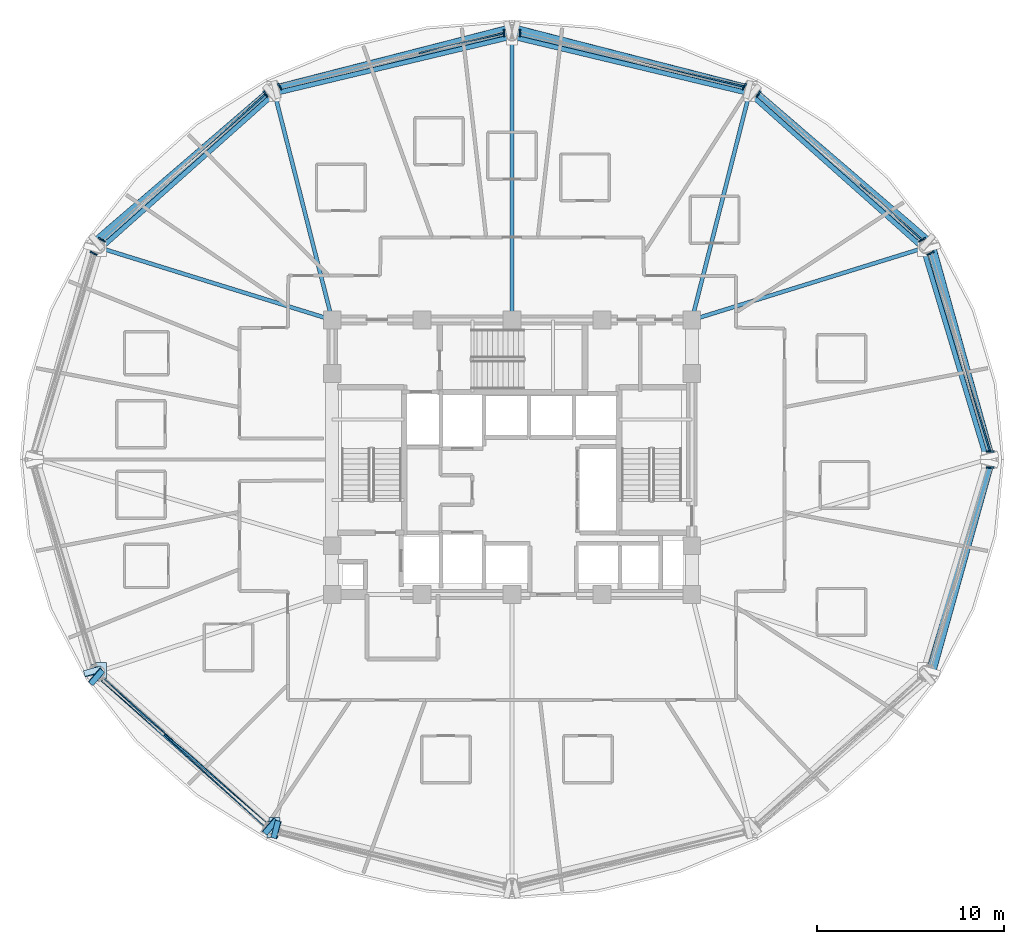
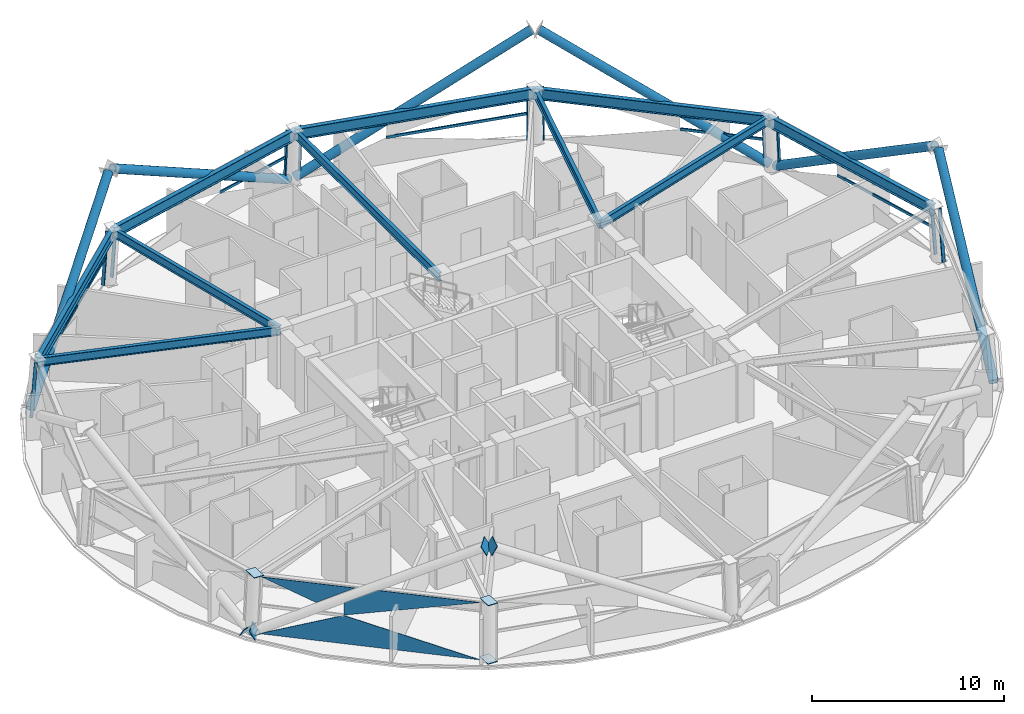
# One storey, part 3 of 14: 23 members, 11 plates, 10 beams, 8 elements without a shape of their own.
"""IFC4 building model written with IfcOpenShell, lengths in metres."""

import ifcopenshell
import ifcopenshell.guid

model = None  # the IFC model being written
_history = None  # IfcOwnerHistory: only IFC2X3 demands one
_inside = {}  # id of a spatial element -> (the spatial element, [elements in it])
_under = {}  # id of a project, library or spatial element -> (it, [spatial elements below it])
_declared = {}  # id of a project -> (the project, [libraries it declares])
_typed = {}  # id of a type object -> (the type object, [elements of that type])
_made_of = {}  # id of a material, layer set ... -> (it, [elements and type objects made of it])


def new_model(schema):
    """Start an empty IFC model of exactly this schema.

    Asked for "IFC4X3", IfcOpenShell would pick the latest addendum, in which some entities
    have other attributes; the version numbers below select the first issue.
    IFC2X3 requires an IfcOwnerHistory on every rooted entity: one is made here for all.
    """
    global model, _history
    if schema == "IFC4X3":
        model = ifcopenshell.file(schema_version=(4, 3, 0, 0))
    else:
        model = ifcopenshell.file(schema=schema)
    _inside.clear()
    _under.clear()
    _declared.clear()
    _typed.clear()
    _made_of.clear()
    _history = None
    if model.schema == "IFC2X3":
        org = make("IfcOrganization", Name="unknown")
        user = make(
            "IfcPersonAndOrganization",
            ThePerson=make("IfcPerson", FamilyName="unknown"),
            TheOrganization=org,
        )
        app = make(
            "IfcApplication",
            ApplicationDeveloper=org,
            Version="unknown",
            ApplicationFullName="unknown",
            ApplicationIdentifier="unknown",
        )
        _history = make(
            "IfcOwnerHistory",
            OwningUser=user,
            OwningApplication=app,
            ChangeAction="ADDED",
            CreationDate=0,
        )
    return model


def make(cls, **values):
    """One entity of the class cls with the attributes given. An attribute that is None is left unset."""
    return model.create_entity(
        cls, **{name: value for name, value in values.items() if value is not None}
    )


def rooted(cls, **values):
    """An entity with a GlobalId (a new one), such as an element, a storey or a relation."""
    return make(cls, GlobalId=ifcopenshell.guid.new(), OwnerHistory=_history, **values)


def si_unit(unit_type, name, prefix=None):
    """IfcSIUnit, for example si_unit("LENGTHUNIT", "METRE", prefix="MILLI")."""
    return make("IfcSIUnit", UnitType=unit_type, Prefix=prefix, Name=name)


def assignment(units):
    """IfcUnitAssignment: the units of a project."""
    return None if units is None else make("IfcUnitAssignment", Units=units)


def point(xyz):
    """IfcCartesianPoint."""
    return None if xyz is None else make("IfcCartesianPoint", Coordinates=xyz)


def direction(xyz):
    """IfcDirection."""
    return None if xyz is None else make("IfcDirection", DirectionRatios=xyz)


def frame(location, z_axis=None, x_axis=None):
    """IfcAxis2Placement3D, a coordinate frame: its origin and axes. An axis left out is left unset."""
    return make(
        "IfcAxis2Placement3D",
        Location=point(location),
        Axis=direction(z_axis),
        RefDirection=direction(x_axis),
    )


def frame_2d(location, x_axis=None):
    """IfcAxis2Placement2D, a coordinate frame in the plane: its origin and x axis."""
    return make(
        "IfcAxis2Placement2D", Location=point(location), RefDirection=direction(x_axis)
    )


def origin():
    """The frame at (0, 0, 0) with its axes left unset."""
    return frame((0.0, 0.0, 0.0))


def origin_2d():
    """The frame at (0, 0) in the plane with its x axis left unset."""
    return frame_2d((0.0, 0.0))


def place(relative_to, where):
    """IfcLocalPlacement: puts the frame where relative to a parent placement (None: the world)."""
    return make(
        "IfcLocalPlacement", PlacementRelTo=relative_to, RelativePlacement=where
    )


def context(
    kind, dimensions, precision=None, world=None, true_north=None, identifier=None
):
    """IfcGeometricRepresentationContext, for example the 3D "Model" context."""
    return make(
        "IfcGeometricRepresentationContext",
        ContextIdentifier=identifier,
        ContextType=kind,
        CoordinateSpaceDimension=dimensions,
        Precision=precision,
        WorldCoordinateSystem=world,
        TrueNorth=true_north,
    )


def subcontext(parent, identifier, kind, view, scale=None):
    """IfcGeometricRepresentationSubContext, for example "Body" below "Model"."""
    return make(
        "IfcGeometricRepresentationSubContext",
        ContextIdentifier=identifier,
        ContextType=kind,
        ParentContext=parent,
        TargetScale=scale,
        TargetView=view,
    )


def project(units=None, contexts=None):
    """IfcProject with its units and contexts."""
    return rooted(
        "IfcProject",
        Name="project",
        RepresentationContexts=contexts,
        UnitsInContext=assignment(units),
    )


def spatial(cls, under=None, at=None, **own):
    """A site, building, storey or space (cls), placed at a placement, below another one or the project."""
    s = rooted(cls, ObjectPlacement=at, **own)
    if under is not None:
        _under.setdefault(under.id(), (under, []))[1].append(s)
    return s


def polyline(points):
    """IfcPolyline through the points."""
    return make("IfcPolyline", Points=[point(p) for p in points])


def profile(cls, at=None, kind="AREA", **sizes):
    """A parametric profile (cls). Its sizes go by their IFC names, for example OverallWidth=200.0."""
    return make(cls, ProfileType=kind, Position=at, **sizes)


def hollow_rectangle(**sizes):
    """IfcRectangleHollowProfileDef."""
    return profile("IfcRectangleHollowProfileDef", **sizes)


def hollow_circle(**sizes):
    """IfcCircleHollowProfileDef."""
    return profile("IfcCircleHollowProfileDef", **sizes)


def i_section(**sizes):
    """IfcIShapeProfileDef."""
    return profile("IfcIShapeProfileDef", **sizes)


def outline(outer, holes=None, kind="AREA"):
    """IfcArbitraryClosedProfileDef: a profile drawn as a closed curve; with holes, ...WithVoids."""
    if holes is None:
        return make("IfcArbitraryClosedProfileDef", ProfileType=kind, OuterCurve=outer)
    return make(
        "IfcArbitraryProfileDefWithVoids",
        ProfileType=kind,
        OuterCurve=outer,
        InnerCurves=holes,
    )


def extrude(swept, where, along, depth):
    """IfcExtrudedAreaSolid: the profile swept, set in the frame where, extruded along a direction by depth."""
    return make(
        "IfcExtrudedAreaSolid",
        SweptArea=swept,
        Position=where,
        ExtrudedDirection=direction(along),
        Depth=depth,
    )


def shape(context_of_items, identifier, shape_type, items):
    """IfcShapeRepresentation: the items that make up one representation, for example the "Body"."""
    return make(
        "IfcShapeRepresentation",
        ContextOfItems=context_of_items,
        RepresentationIdentifier=identifier,
        RepresentationType=shape_type,
        Items=items,
    )


def material(Name=None, Category=None):
    """IfcMaterial."""
    return make("IfcMaterial", Name=Name, Category=Category)


def layer(
    of_material, thickness, ventilated=None, Name=None, Category=None, Priority=None
):
    """IfcMaterialLayer: one layer of a wall or slab, of a material (None: an air gap)."""
    return make(
        "IfcMaterialLayer",
        Material=of_material,
        LayerThickness=thickness,
        IsVentilated=ventilated,
        Name=Name,
        Category=Category,
        Priority=Priority,
    )


def layer_set(layers, Name=None):
    """IfcMaterialLayerSet."""
    return make("IfcMaterialLayerSet", MaterialLayers=layers, LayerSetName=Name)


def material_profile(
    of_material, cross_section, Name=None, Category=None, Priority=None
):
    """IfcMaterialProfile: a cross section and its material."""
    return make(
        "IfcMaterialProfile",
        Name=Name,
        Material=of_material,
        Profile=cross_section,
        Priority=Priority,
        Category=Category,
    )


def profile_set(profiles, Name=None, composite=None):
    """IfcMaterialProfileSet."""
    return make(
        "IfcMaterialProfileSet",
        Name=Name,
        MaterialProfiles=profiles,
        CompositeProfile=composite,
    )


def made_of(thing, what):
    """Note that an element or type object is made of a material, layer set ...; save() writes the relation."""
    if what is not None:
        _made_of.setdefault(what.id(), (what, []))[1].append(thing)
    return thing


def type_object(cls, material=None, **own):
    """A type object (cls), such as IfcWallType, which elements share."""
    return made_of(rooted(cls, **own), material)


def element(
    cls,
    number,
    at=None,
    inside=None,
    cuts=None,
    type_object=None,
    material=None,
    context=None,
    identifier="Body",
    shape_type=None,
    held_by="IfcProductDefinitionShape",
    body=None,
    shapes=None,
    **own,
):
    """One element of the class cls, such as IfcWall. Its Tag is "e" and its number.

    at: its placement. inside: the storey or other place that contains it. cuts: it is an
    opening in that element (IfcRelVoidsElement). A single representation is given by context,
    identifier, shape_type and body (its items); several are given by shapes. held_by: the class
    of the entity that holds the representations. save() writes the other relations.
    """
    e = rooted(cls, Tag="e%d" % number, ObjectPlacement=at, **own)
    if body is not None:
        shapes = [shape(context, identifier, shape_type, body)]
    if shapes is not None:
        e.Representation = make(held_by, Representations=shapes)
    if inside is not None:
        _inside.setdefault(inside.id(), (inside, []))[1].append(e)
    if cuts is not None:
        rooted(
            "IfcRelVoidsElement", RelatingBuildingElement=cuts, RelatedOpeningElement=e
        )
    if type_object is not None:
        _typed.setdefault(type_object.id(), (type_object, []))[1].append(e)
    return made_of(e, material)


def aggregate(whole, parts):
    """IfcRelAggregates: a whole, such as a stair, and the parts it consists of."""
    return rooted("IfcRelAggregates", RelatingObject=whole, RelatedObjects=parts)


def save(model, path):
    """Write the relations noted so far, then the file.

    IfcRelAggregates (storeys below a building ...), IfcRelContainedInSpatialStructure (elements
    in a storey), IfcRelDefinesByType, IfcRelAssociatesMaterial and IfcRelDeclares: one each for
    every whole, place, type object, material and project.
    """
    for whole, parts in _under.values():
        aggregate(whole, parts)
    for where, things in _inside.values():
        rooted(
            "IfcRelContainedInSpatialStructure",
            RelatedElements=things,
            RelatingStructure=where,
        )
    for kind, things in _typed.values():
        rooted("IfcRelDefinesByType", RelatedObjects=things, RelatingType=kind)
    for what, things in _made_of.values():
        rooted("IfcRelAssociatesMaterial", RelatedObjects=things, RelatingMaterial=what)
    for by, libraries in _declared.values():
        rooted("IfcRelDeclares", RelatingContext=by, RelatedDefinitions=libraries)
    model.write(path)


model = new_model("IFC4")

# Units and contexts
model_context = context("Model", 3, precision=1e-05, world=origin(), true_north=direction((0.0, 1.0)))
body_context = subcontext(model_context, "Body", "Model", "MODEL_VIEW")
ifc_project = project(units=[si_unit("LENGTHUNIT", "METRE"), si_unit("AREAUNIT", "SQUARE_METRE"), si_unit("VOLUMEUNIT", "CUBIC_METRE"), si_unit("PLANEANGLEUNIT", "RADIAN"), si_unit("MASSUNIT", "GRAM", prefix="KILO")], contexts=[model_context])

# Site, building, storey
site_placement = place(None, origin())
site = spatial("IfcSite", under=ifc_project, at=site_placement, CompositionType="ELEMENT")
building_placement = place(site_placement, origin())
building = spatial("IfcBuilding", under=site, at=building_placement, Name="Vantalir Tower", CompositionType="ELEMENT")
storey_placement = place(building_placement, frame((0.0, 0.0, 112.199951171875)))
storey = spatial("IfcBuildingStorey", under=building, at=storey_placement, Name="L27", CompositionType="ELEMENT", Elevation=112.199951171875)

# Beams
ifc_material_1 = material(Name="Steel S355", Category="steel")
ifc_material_profile_1 = material_profile(ifc_material_1, i_section(OverallWidth=0.2109375, OverallDepth=0.5390625, WebThickness=0.01171875, FlangeThickness=0.018798828125, at=origin_2d()), Name="Steel S355")
ifc_profile_set_1 = profile_set([ifc_material_profile_1], Name="Steel S355")
beam_type_1 = type_object("IfcBeamType", Name="BM-RB-533x210", PredefinedType="BEAM", material=ifc_profile_set_1)
beam_1_placement = place(storey_placement, frame((53.445068359375, 36.282958984375, 3.300048828125), z_axis=(-0.955024490014, -0.296526935493, 0.0), x_axis=(0.296526935493, -0.955024490014, 0.0)))
element("IfcBeam", 1, at=beam_1_placement, inside=storey, type_object=beam_type_1, Name="L27 Radial Floor Beam 02", PredefinedType="BEAM", context=body_context, shape_type="SweptSolid", body=[
    extrude(i_section(OverallWidth=0.2109375, OverallDepth=0.5390625, WebThickness=0.01171875, FlangeThickness=0.018798828125, at=origin_2d()), origin(), (0.0, 0.0, 1.0), 12.92626953125),
])
beam_2_placement = place(storey_placement, frame((44.169921875, 44.54296875, 3.300048828125), z_axis=(-0.246047052435, -0.969257885182, 0.0), x_axis=(0.969257885182, -0.246047052435, 0.0)))
element("IfcBeam", 2, at=beam_2_placement, inside=storey, type_object=beam_type_1, Name="L27 Radial Floor Beam 03", PredefinedType="BEAM", context=body_context, shape_type="SweptSolid", body=[
    extrude(i_section(OverallWidth=0.2109375, OverallDepth=0.5390625, WebThickness=0.01171875, FlangeThickness=0.018798828125, at=origin_2d()), origin(), (0.0, 0.0, 1.0), 12.4765625),
])
beam_3_placement = place(storey_placement, frame((31.5, 47.56591796875, 3.300048828125), z_axis=(0.0, -1.0, 0.0), x_axis=(1.0, 0.0, 0.0)))
element("IfcBeam", 3, at=beam_3_placement, inside=storey, type_object=beam_type_1, Name="L27 Radial Floor Beam 04", PredefinedType="BEAM", context=body_context, shape_type="SweptSolid", body=[
    extrude(i_section(OverallWidth=0.2109375, OverallDepth=0.5390625, WebThickness=0.01171875, FlangeThickness=0.018798828125, at=origin_2d()), origin(), (0.0, 0.0, 1.0), 15.115966796875),
])
beam_4_placement = place(storey_placement, frame((18.830078125, 44.54296875, 3.300048828125), z_axis=(0.246047052435, -0.969257885182, 0.0), x_axis=(0.969257885182, 0.246047052435, 0.0)))
element("IfcBeam", 4, at=beam_4_placement, inside=storey, type_object=beam_type_1, Name="L27 Radial Floor Beam 05", PredefinedType="BEAM", context=body_context, shape_type="SweptSolid", body=[
    extrude(i_section(OverallWidth=0.2109375, OverallDepth=0.5390625, WebThickness=0.01171875, FlangeThickness=0.018798828125, at=origin_2d()), origin(), (0.0, 0.0, 1.0), 12.4765625),
])
beam_5_placement = place(storey_placement, frame((9.554931640625, 36.282958984375, 3.300048828125), z_axis=(0.955024490014, -0.296526935493, 0.0), x_axis=(0.296526935493, 0.955024490014, 0.0)))
element("IfcBeam", 5, at=beam_5_placement, inside=storey, type_object=beam_type_1, Name="L27 Radial Floor Beam 06", PredefinedType="BEAM", context=body_context, shape_type="SweptSolid", body=[
    extrude(i_section(OverallWidth=0.2109375, OverallDepth=0.5390625, WebThickness=0.01171875, FlangeThickness=0.018798828125, at=origin_2d()), origin(), (0.0, 0.0, 1.0), 12.92626953125),
])
ifc_material_2 = material(Name="Steel S460", Category="steel")
ifc_material_profile_2 = material_profile(ifc_material_2, i_section(OverallWidth=0.256103515625, OverallDepth=0.693115234375, WebThickness=0.014404296875, FlangeThickness=0.023681640625, at=origin_2d()), Name="Steel S460")
ifc_profile_set_2 = profile_set([ifc_material_profile_2], Name="Steel S460")
beam_type_2 = type_object("IfcBeamType", Name="BM-RG-686x254", PredefinedType="USERDEFINED", material=ifc_profile_set_2)
beam_6_placement = place(storey_placement, frame((56.840087890625, 25.0, 3.22314453125), z_axis=(-0.288136680777, 0.957589292542, 0.0), x_axis=(-0.957589292542, -0.288136680777, 0.0)))
element("IfcBeam", 6, at=beam_6_placement, inside=storey, type_object=beam_type_2, Name="L27 Circumferential Ring Girder 01", ObjectType="GIRDER", PredefinedType="USERDEFINED", context=body_context, shape_type="SweptSolid", body=[
    extrude(i_section(OverallWidth=0.256103515625, OverallDepth=0.693115234375, WebThickness=0.014404296875, FlangeThickness=0.023681640625, at=origin_2d()), origin(), (0.0, 0.0, 1.0), 11.78271484375),
])
beam_7_placement = place(storey_placement, frame((53.445068359375, 36.282958984375, 3.22314453125), z_axis=(-0.746791899704, 0.665057785862, 0.0), x_axis=(-0.665057785862, -0.746791899704, 0.0)))
element("IfcBeam", 7, at=beam_7_placement, inside=storey, type_object=beam_type_2, Name="L27 Circumferential Ring Girder 02", ObjectType="GIRDER", PredefinedType="USERDEFINED", context=body_context, shape_type="SweptSolid", body=[
    extrude(i_section(OverallWidth=0.256103515625, OverallDepth=0.693115234375, WebThickness=0.014404296875, FlangeThickness=0.023681640625, at=origin_2d()), origin(), (0.0, 0.0, 1.0), 12.419921875),
])
for number, where, z_axis, x_axis, name in (
    (8, (44.169921875, 44.54296875, 3.22314453125), (-0.972697106811, 0.232078302307, 0.0), (-0.232078302307, -0.972697106811, 0.0), "L27 Circumferential Ring Girder 03"),
    (9, (31.5, 47.56591796875, 3.22314453125), (-0.972697106811, -0.232078302307, 0.0), (0.232078302307, -0.972697106811, 0.0), "L27 Circumferential Ring Girder 04"),
):
    element("IfcBeam", number, at=place(storey_placement, frame(where, z_axis=z_axis, x_axis=x_axis)), inside=storey, type_object=beam_type_2, Name=name, ObjectType="GIRDER", PredefinedType="USERDEFINED", context=body_context, shape_type="SweptSolid", body=[
        extrude(i_section(OverallWidth=0.256103515625, OverallDepth=0.693115234375, WebThickness=0.014404296875, FlangeThickness=0.023681640625, at=origin_2d()), origin(), (0.0, 0.0, 1.0), 13.025634765625),
    ])
beam_8_placement = place(storey_placement, frame((18.830078125, 44.54296875, 3.22314453125), z_axis=(-0.746791899704, -0.665057785862, 0.0), x_axis=(0.665057785862, -0.746791899704, 0.0)))
element("IfcBeam", 10, at=beam_8_placement, inside=storey, type_object=beam_type_2, Name="L27 Circumferential Ring Girder 05", ObjectType="GIRDER", PredefinedType="USERDEFINED", context=body_context, shape_type="SweptSolid", body=[
    extrude(i_section(OverallWidth=0.256103515625, OverallDepth=0.693115234375, WebThickness=0.014404296875, FlangeThickness=0.023681640625, at=origin_2d()), origin(), (0.0, 0.0, 1.0), 12.419921875),
])

# Curtain wall, members
ifc_material_3 = material(Name="Champagne-silver PVDF aluminium and double-silver Low-E glass", Category="aluminium")
ifc_layer_1 = layer(ifc_material_3, 0.199951171875)
ifc_layer_set_1 = layer_set([ifc_layer_1], Name="Champagne-silver PVDF aluminium and double-silver Low-E glass")
curtain_wall_type = type_object("IfcCurtainWallType", Name="CW-DIAMOND-Z2", PredefinedType="USERDEFINED", material=ifc_layer_set_1)
curtain_wall_1_placement = place(storey_placement, origin())
curtain_wall_1 = element("IfcCurtainWall", 11, at=curtain_wall_1_placement, inside=storey, type_object=curtain_wall_type, Name="L27 Quilted Pyramid-Diamond Curtain Wall S01", ObjectType="UNITISED CURTAIN WALL", PredefinedType="USERDEFINED")
ifc_material_4 = material(Name="Champagne-silver PVDF aluminium 6063-T6", Category="aluminium")
ifc_material_profile_3 = material_profile(ifc_material_4, hollow_rectangle(XDim=0.074951171875, YDim=0.179931640625, WallThickness=0.00390625, at=origin_2d()), Name="Champagne-silver PVDF aluminium 6063-T6")
ifc_profile_set_3 = profile_set([ifc_material_profile_3], Name="Champagne-silver PVDF aluminium 6063-T6")
member_type_1 = type_object("IfcMemberType", Name="CWM-180x75", PredefinedType="MULLION", material=ifc_profile_set_3)
member_1_placement = place(storey_placement, frame((57.15087890625, 25.4208984375, 0.045166015625), z_axis=(-0.071028232085, 0.0, 0.997474305557), x_axis=(0.0, -1.0, 0.0)))
member_1 = element("IfcMember", 12, at=member_1_placement, type_object=member_type_1, Name="CW-L27-S01 Mullion 1", PredefinedType="MULLION", context=body_context, shape_type="SweptSolid", body=[
    extrude(hollow_rectangle(XDim=0.074951171875, YDim=0.179931640625, WallThickness=0.00390625, at=origin_2d()), origin(), (0.0, 0.0, 1.0), 3.48876953125),
])
member_2_placement = place(storey_placement, frame((53.950927734375, 36.068115234375, 0.045166015625), z_axis=(-0.061309593785, -0.031844594945, 0.9976106733), x_axis=(0.460938024483, -0.887432328454, 0.0)))
member_2 = element("IfcMember", 13, at=member_2_placement, type_object=member_type_1, Name="CW-L27-S01 Mullion 2", PredefinedType="MULLION", context=body_context, shape_type="SweptSolid", body=[
    extrude(hollow_rectangle(XDim=0.074951171875, YDim=0.179931640625, WallThickness=0.00390625, at=origin_2d()), origin(), (0.0, 0.0, 1.0), 3.48828125),
])

curtain_wall_2_placement = place(storey_placement, origin())
curtain_wall_2 = element("IfcCurtainWall", 14, at=curtain_wall_2_placement, inside=storey, type_object=curtain_wall_type, Name="L27 Quilted Pyramid-Diamond Curtain Wall S02", ObjectType="UNITISED CURTAIN WALL", PredefinedType="USERDEFINED")
member_3_placement = place(storey_placement, frame((53.49609375, 36.781982421875, 0.045166015625), z_axis=(-0.061379318381, -0.031844458225, 0.997606390194), x_axis=(0.460523956902, -0.887647275171, 0.0)))
member_3 = element("IfcMember", 15, at=member_3_placement, type_object=member_type_1, Name="CW-L27-S02 Mullion 1", PredefinedType="MULLION", context=body_context, shape_type="SweptSolid", body=[
    extrude(hollow_rectangle(XDim=0.074951171875, YDim=0.179931640625, WallThickness=0.00390625, at=origin_2d()), origin(), (0.0, 0.0, 1.0), 3.48828125),
])
member_4_placement = place(storey_placement, frame((44.717041015625, 44.60693359375, 0.045166015625), z_axis=(-0.03556199985, -0.055303110003, 0.997836113894), x_axis=(0.841109282516, -0.540865209517, 0.0)))
member_4 = element("IfcMember", 16, at=member_4_placement, type_object=member_type_1, Name="CW-L27-S02 Mullion 2", PredefinedType="MULLION", context=body_context, shape_type="SweptSolid", body=[
    extrude(hollow_rectangle(XDim=0.074951171875, YDim=0.179931640625, WallThickness=0.00390625, at=origin_2d()), origin(), (0.0, 0.0, 1.0), 3.487548828125),
])

curtain_wall_3_placement = place(storey_placement, origin())
curtain_wall_3 = element("IfcCurtainWall", 17, at=curtain_wall_3_placement, inside=storey, type_object=curtain_wall_type, Name="L27 Quilted Pyramid-Diamond Curtain Wall S03", ObjectType="UNITISED CURTAIN WALL", PredefinedType="USERDEFINED")
member_5_placement = place(storey_placement, frame((43.9609375, 45.001953125, 0.045166015625), z_axis=(-0.03556199985, -0.055303110003, 0.997836113894), x_axis=(0.841109282516, -0.540865209517, 0.0)))
member_5 = element("IfcMember", 18, at=member_5_placement, type_object=member_type_1, Name="CW-L27-S03 Mullion 1", PredefinedType="MULLION", context=body_context, shape_type="SweptSolid", body=[
    extrude(hollow_rectangle(XDim=0.074951171875, YDim=0.179931640625, WallThickness=0.00390625, at=origin_2d()), origin(), (0.0, 0.0, 1.0), 3.487548828125),
])
member_6_placement = place(storey_placement, frame((31.927978515625, 47.8759765625, 0.045166015625), z_axis=(0.0, -0.063642293528, 0.997972774415), x_axis=(1.0, 0.0, 0.0)))
member_6 = element("IfcMember", 19, at=member_6_placement, type_object=member_type_1, Name="CW-L27-S03 Mullion 2", PredefinedType="MULLION", context=body_context, shape_type="SweptSolid", body=[
    extrude(hollow_rectangle(XDim=0.074951171875, YDim=0.179931640625, WallThickness=0.00390625, at=origin_2d()), origin(), (0.0, 0.0, 1.0), 3.487060546875),
])

curtain_wall_4_placement = place(storey_placement, origin())
curtain_wall_4 = element("IfcCurtainWall", 20, at=curtain_wall_4_placement, inside=storey, type_object=curtain_wall_type, Name="L27 Quilted Pyramid-Diamond Curtain Wall S04", ObjectType="UNITISED CURTAIN WALL", PredefinedType="USERDEFINED")
member_7_placement = place(storey_placement, frame((31.072021484375, 47.8759765625, 0.045166015625), z_axis=(0.0, -0.063642293528, 0.997972774415), x_axis=(1.0, 0.0, 0.0)))
member_7 = element("IfcMember", 21, at=member_7_placement, type_object=member_type_1, Name="CW-L27-S04 Mullion 1", PredefinedType="MULLION", context=body_context, shape_type="SweptSolid", body=[
    extrude(hollow_rectangle(XDim=0.074951171875, YDim=0.179931640625, WallThickness=0.00390625, at=origin_2d()), origin(), (0.0, 0.0, 1.0), 3.487060546875),
])
member_8_placement = place(storey_placement, frame((19.0390625, 45.001953125, 0.045166015625), z_axis=(0.03556199985, -0.055303110003, 0.997836113894), x_axis=(0.841109282516, 0.540865209517, 0.0)))
member_8 = element("IfcMember", 22, at=member_8_placement, type_object=member_type_1, Name="CW-L27-S04 Mullion 2", PredefinedType="MULLION", context=body_context, shape_type="SweptSolid", body=[
    extrude(hollow_rectangle(XDim=0.074951171875, YDim=0.179931640625, WallThickness=0.00390625, at=origin_2d()), origin(), (0.0, 0.0, 1.0), 3.487548828125),
])

curtain_wall_5_placement = place(storey_placement, origin())
curtain_wall_5 = element("IfcCurtainWall", 23, at=curtain_wall_5_placement, inside=storey, type_object=curtain_wall_type, Name="L27 Quilted Pyramid-Diamond Curtain Wall S05", ObjectType="UNITISED CURTAIN WALL", PredefinedType="USERDEFINED")
member_9_placement = place(storey_placement, frame((18.282958984375, 44.60693359375, 0.045166015625), z_axis=(0.03556199985, -0.055303110003, 0.997836113894), x_axis=(0.841109282516, 0.540865209517, 0.0)))
member_9 = element("IfcMember", 24, at=member_9_placement, type_object=member_type_1, Name="CW-L27-S05 Mullion 1", PredefinedType="MULLION", context=body_context, shape_type="SweptSolid", body=[
    extrude(hollow_rectangle(XDim=0.074951171875, YDim=0.179931640625, WallThickness=0.00390625, at=origin_2d()), origin(), (0.0, 0.0, 1.0), 3.487548828125),
])
member_10_placement = place(storey_placement, frame((9.50390625, 36.781982421875, 0.045166015625), z_axis=(0.061379318381, -0.031844458225, 0.997606390194), x_axis=(0.460523956902, 0.887647275171, 0.0)))
member_10 = element("IfcMember", 25, at=member_10_placement, type_object=member_type_1, Name="CW-L27-S05 Mullion 2", PredefinedType="MULLION", context=body_context, shape_type="SweptSolid", body=[
    extrude(hollow_rectangle(XDim=0.074951171875, YDim=0.179931640625, WallThickness=0.00390625, at=origin_2d()), origin(), (0.0, 0.0, 1.0), 3.48828125),
])

# Curtain wall, member
curtain_wall_6_placement = place(storey_placement, origin())
curtain_wall_6 = element("IfcCurtainWall", 26, at=curtain_wall_6_placement, inside=storey, type_object=curtain_wall_type, Name="L27 Quilted Pyramid-Diamond Curtain Wall S06", ObjectType="UNITISED CURTAIN WALL", PredefinedType="USERDEFINED")
member_11_placement = place(storey_placement, frame((9.049072265625, 36.068115234375, 0.045166015625), z_axis=(0.061309593785, -0.031844594945, 0.9976106733), x_axis=(0.460938024483, 0.887432328454, 0.0)))
member_11 = element("IfcMember", 27, at=member_11_placement, type_object=member_type_1, Name="CW-L27-S06 Mullion 1", PredefinedType="MULLION", context=body_context, shape_type="SweptSolid", body=[
    extrude(hollow_rectangle(XDim=0.074951171875, YDim=0.179931640625, WallThickness=0.00390625, at=origin_2d()), origin(), (0.0, 0.0, 1.0), 3.48828125),
])
aggregate(curtain_wall_6, [member_11])

curtain_wall_7_placement = place(storey_placement, origin())
curtain_wall_7 = element("IfcCurtainWall", 28, at=curtain_wall_7_placement, inside=storey, type_object=curtain_wall_type, Name="L27 Quilted Pyramid-Diamond Curtain Wall S12", ObjectType="UNITISED CURTAIN WALL", PredefinedType="USERDEFINED")
member_12_placement = place(storey_placement, frame((57.15087890625, 24.5791015625, 0.045166015625), z_axis=(-0.071028232085, 0.0, 0.997474305557), x_axis=(0.0, -1.0, 0.0)))
member_12 = element("IfcMember", 29, at=member_12_placement, type_object=member_type_1, Name="CW-L27-S12 Mullion 2", PredefinedType="MULLION", context=body_context, shape_type="SweptSolid", body=[
    extrude(hollow_rectangle(XDim=0.074951171875, YDim=0.179931640625, WallThickness=0.00390625, at=origin_2d()), origin(), (0.0, 0.0, 1.0), 3.48876953125),
])
aggregate(curtain_wall_7, [member_12])

# Member
ifc_material_profile_4 = material_profile(ifc_material_4, hollow_rectangle(XDim=0.074951171875, YDim=0.159912109375, WallThickness=0.00390625, at=origin_2d()), Name="Champagne-silver PVDF aluminium 6063-T6")
ifc_profile_set_4 = profile_set([ifc_material_profile_4], Name="Champagne-silver PVDF aluminium 6063-T6")
member_type_2 = type_object("IfcMemberType", Name="CWT-160x75", PredefinedType="USERDEFINED", material=ifc_profile_set_4)
member_13_placement = place(storey_placement, frame((57.027099609375, 25.4208984375, 1.78515625), z_axis=(-0.284573234622, 0.95865430377, 0.0), x_axis=(-0.95865430377, -0.284573234622, 0.0)))
member_13 = element("IfcMember", 30, at=member_13_placement, type_object=member_type_2, Name="CW-L27-S01 Pyramid Fold Ridge Transom", ObjectType="TRANSOM", PredefinedType="USERDEFINED", context=body_context, shape_type="SweptSolid", body=[
    extrude(hollow_rectangle(XDim=0.074951171875, YDim=0.159912109375, WallThickness=0.00390625, at=origin_2d()), origin(), (0.0, 0.0, 1.0), 6.8564453125),
])

aggregate(curtain_wall_1, [member_1, member_2, member_13])

member_14_placement = place(storey_placement, frame((53.388916015625, 36.72607421875, 1.78515625), z_axis=(-0.742949661595, 0.669347294262, 0.0), x_axis=(-0.669347294262, -0.742949661595, 0.0)))
member_14 = element("IfcMember", 31, at=member_14_placement, type_object=member_type_2, Name="CW-L27-S02 Pyramid Fold Ridge Transom", ObjectType="TRANSOM", PredefinedType="USERDEFINED", context=body_context, shape_type="SweptSolid", body=[
    extrude(hollow_rectangle(XDim=0.074951171875, YDim=0.159912109375, WallThickness=0.00390625, at=origin_2d()), origin(), (0.0, 0.0, 1.0), 4.44140625),
])

aggregate(curtain_wall_2, [member_3, member_4, member_14])

member_15_placement = place(storey_placement, frame((43.89892578125, 44.906005859375, 1.78515625), z_axis=(-0.971914885175, 0.235332649616, 0.0), x_axis=(-0.235332649616, -0.971914885175, 0.0)))
member_15 = element("IfcMember", 32, at=member_15_placement, type_object=member_type_2, Name="CW-L27-S03 Pyramid Fold Ridge Transom", ObjectType="TRANSOM", PredefinedType="USERDEFINED", context=body_context, shape_type="SweptSolid", body=[
    extrude(hollow_rectangle(XDim=0.074951171875, YDim=0.159912109375, WallThickness=0.00390625, at=origin_2d()), origin(), (0.0, 0.0, 1.0), 7.63134765625),
])

aggregate(curtain_wall_3, [member_5, member_6, member_15])

member_16_placement = place(storey_placement, frame((31.072021484375, 47.764892578125, 1.78515625), z_axis=(-0.973822336947, -0.22731048384, 0.0), x_axis=(0.22731048384, -0.973822336947, 0.0)))
member_16 = element("IfcMember", 33, at=member_16_placement, type_object=member_type_2, Name="CW-L27-S04 Pyramid Fold Ridge Transom", ObjectType="TRANSOM", PredefinedType="USERDEFINED", context=body_context, shape_type="SweptSolid", body=[
    extrude(hollow_rectangle(XDim=0.074951171875, YDim=0.159912109375, WallThickness=0.00390625, at=origin_2d()), origin(), (0.0, 0.0, 1.0), 4.67626953125),
])

aggregate(curtain_wall_4, [member_7, member_8, member_16])

member_17_placement = place(storey_placement, frame((18.344970703125, 44.510986328125, 1.78515625), z_axis=(-0.748658770457, -0.66295553804, 0.0), x_axis=(0.66295553804, -0.748658770457, 0.0)))
member_17 = element("IfcMember", 34, at=member_17_placement, type_object=member_type_2, Name="CW-L27-S05 Pyramid Fold Ridge Transom", ObjectType="TRANSOM", PredefinedType="USERDEFINED", context=body_context, shape_type="SweptSolid", body=[
    extrude(hollow_rectangle(XDim=0.074951171875, YDim=0.159912109375, WallThickness=0.00390625, at=origin_2d()), origin(), (0.0, 0.0, 1.0), 7.258544921875),
])

aggregate(curtain_wall_5, [member_9, member_10, member_17])

# Members
ifc_material_profile_5 = material_profile(ifc_material_2, hollow_circle(Radius=0.260009765625, WallThickness=0.0380859375, at=origin_2d()), Name="Steel S460")
ifc_profile_set_5 = profile_set([ifc_material_profile_5], Name="Steel S460")
member_type_3 = type_object("IfcMemberType", Name="MEM-DB-520x38", PredefinedType="BRACE", material=ifc_profile_set_5)
member_18_placement = place(storey_placement, frame((53.678955078125, 36.614013671875, 0.18896484375), z_axis=(-0.659392338533, 0.566838427875, 0.493858219096), x_axis=(-0.651881265507, -0.758321050533, 0.0)))
element("IfcMember", 35, at=member_18_placement, inside=storey, type_object=member_type_3, Name="L27 Perimeter S460 Diagrid Brace R04L", PredefinedType="BRACE", context=body_context, shape_type="SweptSolid", body=[
    extrude(hollow_circle(Radius=0.260009765625, WallThickness=0.0380859375, at=origin_2d()), origin(), (0.0, 0.0, 1.0), 14.056884765625),
])
member_19_placement = place(storey_placement, frame((53.875, 36.306884765625, 0.193115234375), z_axis=(0.230414380801, -0.825823698626, 0.514708103596), x_axis=(0.96321080902, 0.268746976516, 0.0)))
element("IfcMember", 36, at=member_19_placement, inside=storey, type_object=member_type_3, Name="L27 Perimeter S460 Diagrid Brace R04R", PredefinedType="BRACE", context=body_context, shape_type="SweptSolid", body=[
    extrude(hollow_circle(Radius=0.260009765625, WallThickness=0.0380859375, at=origin_2d()), origin(), (0.0, 0.0, 1.0), 13.471435546875),
])
for number, where, z_axis, x_axis, name in (
    (37, (31.31298828125, 47.929931640625, 0.18505859375), (-0.851176240512, -0.218106259883, 0.477418754333), (0.248221512028, -0.968703298728, 0.0), "L27 Perimeter S460 Diagrid Brace R10L"),
    (38, (31.68701171875, 47.929931640625, 0.18505859375), (0.851176240512, -0.218106259883, 0.477418754333), (0.248221512028, 0.968703298728, 0.0), "L27 Perimeter S460 Diagrid Brace R10R"),
):
    element("IfcMember", number, at=place(storey_placement, frame(where, z_axis=z_axis, x_axis=x_axis)), inside=storey, type_object=member_type_3, Name=name, PredefinedType="BRACE", context=body_context, shape_type="SweptSolid", body=[
        extrude(hollow_circle(Radius=0.260009765625, WallThickness=0.0380859375, at=origin_2d()), origin(), (0.0, 0.0, 1.0), 14.557373046875),
    ])
member_20_placement = place(storey_placement, frame((9.321044921875, 36.614013671875, 0.18896484375), z_axis=(0.659392338533, 0.566838427875, 0.493858219096), x_axis=(-0.651881265507, 0.758321050533, 0.0)))
element("IfcMember", 39, at=member_20_placement, inside=storey, type_object=member_type_3, Name="L27 Perimeter S460 Diagrid Brace R16R", PredefinedType="BRACE", context=body_context, shape_type="SweptSolid", body=[
    extrude(hollow_circle(Radius=0.260009765625, WallThickness=0.0380859375, at=origin_2d()), origin(), (0.0, 0.0, 1.0), 14.056884765625),
])
member_21_placement = place(storey_placement, frame((53.875, 13.693115234375, 0.193115234375), z_axis=(0.230414380801, 0.825823698626, 0.514708103596), x_axis=(-0.96321080902, 0.268746976516, 0.0)))
element("IfcMember", 40, at=member_21_placement, inside=storey, type_object=member_type_3, Name="L27 Perimeter S460 Diagrid Brace R34L", PredefinedType="BRACE", context=body_context, shape_type="SweptSolid", body=[
    extrude(hollow_circle(Radius=0.260009765625, WallThickness=0.0380859375, at=origin_2d()), origin(), (0.0, 0.0, 1.0), 13.471435546875),
])

# Curtain wall, plates
curtain_wall_8_placement = place(storey_placement, origin())
curtain_wall_8 = element("IfcCurtainWall", 41, at=curtain_wall_8_placement, inside=storey, type_object=curtain_wall_type, Name="L27 Quilted Pyramid-Diamond Curtain Wall S08", ObjectType="UNITISED CURTAIN WALL", PredefinedType="USERDEFINED")
ifc_material_5 = material(Name="Double-silver Low-E laminated glass IGU", Category="glass")
ifc_layer_2 = layer(ifc_material_5, 0.028076171875)
ifc_layer_set_2 = layer_set([ifc_layer_2], Name="Double-silver Low-E laminated glass IGU")
plate_type_1 = type_object("IfcPlateType", Name="CWP-IGU-28", PredefinedType="CURTAIN_PANEL", material=ifc_layer_set_2)
plate_1_placement = place(storey_placement, frame((9.515625, 13.208251953125, 0.046630859375), z_axis=(-0.664559537253, -0.74548229328, 0.051154392301), x_axis=(0.746458880682, -0.66543154345, -2.0813598e-05)))
plate_1 = element("IfcPlate", 42, at=plate_1_placement, type_object=plate_type_1, Name="CW-L27-S08 Pyramid Diamond Facet 1L", PredefinedType="CURTAIN_PANEL", context=body_context, shape_type="SweptSolid", body=[
    extrude(outline(polyline([(0.0, 0.0), (11.729861619438788, -6.743737512859838e-17), (4.47876309128001, 1.7291637556908903), (0.0, 0.0)])), origin(), (0.0, 0.0, -1.0), 0.028076171875),
])
plate_2_placement = place(storey_placement, frame((14.29345703125, 9.25146484375, 3.5234375), z_axis=(-0.66332795078, -0.744234257289, 0.078175443656), x_axis=(0.746521268511, -0.665361551026, 4.5583346e-05)))
plate_2 = element("IfcPlate", 43, at=plate_2_placement, type_object=plate_type_1, Name="CW-L27-S08 Pyramid Diamond Facet 2U", PredefinedType="CURTAIN_PANEL", context=body_context, shape_type="SweptSolid", body=[
    extrude(outline(polyline([(0.0, 0.0), (5.494489195041637, 2.2822455730819868e-17), (-1.7206195760153145, -1.7320288825229808), (-1.720643963681819, -0.9765366403300039), (0.0, 0.0)])), origin(), (0.0, 0.0, -1.0), 0.028076171875),
])
plate_3_placement = place(storey_placement, frame((9.708251953125, 13.29541015625, 3.52587890625), z_axis=(-0.663302755406, -0.744259361132, 0.078150227372), x_axis=(0.746545157546, -0.665334746817, 4.9218431e-05)))
plate_3 = element("IfcPlate", 44, at=plate_3_placement, type_object=plate_type_1, Name="CW-L27-S08 Pyramid Diamond Facet 2U Infill Light", PredefinedType="CURTAIN_PANEL", context=body_context, shape_type="SweptSolid", body=[
    extrude(outline(polyline([(0.0, 0.0), (4.96034963533926, -5.1662233518934286e-17), (2.927112132679448, -1.1543091809518697), (0.0, 0.0)])), origin(), (0.0, 0.0, -1.0), 0.028076171875),
])
aggregate(curtain_wall_8, [plate_1, plate_2, plate_3])

# Plates
ifc_layer_3 = layer(ifc_material_2, 0.0400390625)
ifc_layer_set_3 = layer_set([ifc_layer_3], Name="Steel S460")
plate_type_2 = type_object("IfcPlateType", Name="PLT-KN-Z1", PredefinedType="USERDEFINED", material=ifc_layer_set_3)
plate_4_placement = place(storey_placement, frame((9.1328125, 12.921875, -0.076904296875), z_axis=(0.659323366185, -0.566810275658, 0.493982601121), x_axis=(0.651935390313, 0.758274515462, -7.783461e-05)))
element("IfcPlate", 45, at=plate_4_placement, inside=storey, type_object=plate_type_2, Name="Node Cap Plate MEM-DG-L27-R22L Start", ObjectType="FLANGE_PLATE", PredefinedType="USERDEFINED", context=body_context, shape_type="SweptSolid", body=[
    extrude(outline(polyline([(0.0, 0.0), (0.9499194106047693, 0.0), (0.9497861594451141, 0.6200735158488239), (-0.00015921286013078996, 0.6199034410543653), (0.0, 0.0)])), origin(), (0.0, 0.0, -1.0), 0.0400390625),
])
plate_5_placement = place(storey_placement, frame((18.41748046875, 4.939453125, 6.877685546875), z_axis=(0.65932243996, -0.566825154245, 0.493966764753), x_axis=(0.651912226337, 0.75829443434, 0.0)))
element("IfcPlate", 46, at=plate_5_placement, inside=storey, type_object=plate_type_2, Name="Node Cap Plate MEM-DG-L27-R22L End", ObjectType="FLANGE_PLATE", PredefinedType="USERDEFINED", context=body_context, shape_type="SweptSolid", body=[
    extrude(outline(polyline([(0.0, 0.0), (0.9501045395402512, 5.551115123125783e-17), (0.9501817661133964, 0.6199820736218935), (7.722657314530777e-05, 0.6199820736218935), (0.0, 0.0)])), origin(), (0.0, 0.0, -1.0), 0.0400390625),
])
plate_6_placement = place(storey_placement, frame((9.5380859375, 13.980712890625, -0.068359375), z_axis=(-0.230464762677, 0.825795344658, 0.514731038413), x_axis=(-0.963193206575, -0.268810057118, 0.0)))
element("IfcPlate", 47, at=plate_6_placement, inside=storey, type_object=plate_type_2, Name="Node Cap Plate MEM-DG-L27-R22R Start", ObjectType="FLANGE_PLATE", PredefinedType="USERDEFINED", context=body_context, shape_type="SweptSolid", body=[
    extrude(outline(polyline([(0.0, 0.0), (0.9500057270479744, 0.0), (0.95009143173632, 0.6199254438717674), (8.57046883456301e-05, 0.6199254438717673), (0.0, 0.0)])), origin(), (0.0, 0.0, -1.0), 0.0400390625),
])
plate_7_placement = place(storey_placement, frame((18.86962890625, 5.748779296875, 6.8779296875), z_axis=(-0.851198547078, 0.218163384579, 0.477352878991), x_axis=(-0.248276411705, -0.968689229521, 0.0)))
element("IfcPlate", 48, at=plate_7_placement, inside=storey, type_object=plate_type_2, Name="Node Cap Plate MEM-DG-L27-R28R End", ObjectType="FLANGE_PLATE", PredefinedType="USERDEFINED", context=body_context, shape_type="SweptSolid", body=[
    extrude(outline(polyline([(0.0, 0.0), (0.9499083788509355, 0.0), (0.9499325367473699, 0.6198594401507656), (2.4157896434472415e-05, 0.6198594401507656), (0.0, 0.0)])), origin(), (0.0, 0.0, -1.0), 0.0400390625),
])
ifc_layer_4 = layer(ifc_material_2, 0.035888671875)
ifc_layer_set_4 = layer_set([ifc_layer_4], Name="Steel S460")
plate_type_3 = type_object("IfcPlateType", Name="PLT-KN-Z2", PredefinedType="USERDEFINED", material=ifc_layer_set_4)
plate_8_placement = place(storey_placement, frame((9.26708984375, 14.158203125, 3.601806640625), z_axis=(0.060200582555, 0.03101384697, 0.997704380644), x_axis=(0.0, -0.999517204822, 0.031070198984)))
element("IfcPlate", 49, at=plate_8_placement, inside=storey, type_object=plate_type_3, Name="L27 Ring Column Top Cap RC08", ObjectType="FLANGE_PLATE", PredefinedType="USERDEFINED", context=body_context, shape_type="SweptSolid", body=[
    extrude(outline(polyline([(0.0, 0.0), (0.880063562319266, 0.0), (0.8799549271543606, 0.5801537873216641), (-0.00010863516490533119, 0.5801537873216641), (0.0, 0.0)])), origin(), (0.0, 0.0, -1.0), 0.035888671875),
])
plate_9_placement = place(storey_placement, frame((9.0537109375, 14.0478515625, 0.056640625), z_axis=(0.060232397464, 0.031018087663, 0.99770232862), x_axis=(-2.59216e-07, -0.999517070407, 0.031074522765)))
element("IfcPlate", 50, at=plate_9_placement, inside=storey, type_object=plate_type_3, Name="L27 Ring Column Base Cap RC08", ObjectType="FLANGE_PLATE", PredefinedType="USERDEFINED", context=body_context, shape_type="SweptSolid", body=[
    extrude(outline(polyline([(0.0, 0.0), (0.8798195395887346, 0.0), (0.879954626013474, 0.5799105466313096), (-0.00010893629752796962, 0.5799100896118695), (0.0, 0.0)])), origin(), (0.0, 0.0, -1.0), 0.035888671875),
])
plate_10_placement = place(storey_placement, frame((18.541259765625, 5.8984375, 3.58447265625), z_axis=(0.034793349991, 0.053654888269, 0.997953193172), x_axis=(4.816938e-06, -0.998557800847, 0.05368722702)))
element("IfcPlate", 51, at=plate_10_placement, inside=storey, type_object=plate_type_3, Name="L27 Ring Column Top Cap RC09", ObjectType="FLANGE_PLATE", PredefinedType="USERDEFINED", context=body_context, shape_type="SweptSolid", body=[
    extrude(outline(polyline([(0.0, 0.0), (0.8799245996245013, 0.0), (0.8800715409815187, 0.5799367399068213), (0.0001338341238583424, 0.5799452221894148), (0.0, 0.0)])), origin(), (0.0, 0.0, -1.0), 0.035888671875),
])
plate_11_placement = place(storey_placement, frame((18.41796875, 5.707763671875, 0.039306640625), z_axis=(0.034572135858, 0.053786092726, 0.997953818396), x_axis=(-2.57961e-07, -0.998550746528, 0.053818273925)))
element("IfcPlate", 52, at=plate_11_placement, inside=storey, type_object=plate_type_3, Name="L27 Ring Column Base Cap RC09", ObjectType="FLANGE_PLATE", PredefinedType="USERDEFINED", context=body_context, shape_type="SweptSolid", body=[
    extrude(outline(polyline([(0.0, 0.0), (0.8799377153065908, -2.168404344971009e-19), (0.8800790831950114, 0.5799367540497415), (-0.00010241891493105427, 0.5799362997357496), (0.0, 0.0)])), origin(), (0.0, 0.0, -1.0), 0.035888671875),
])

save(model, "model.ifc")
